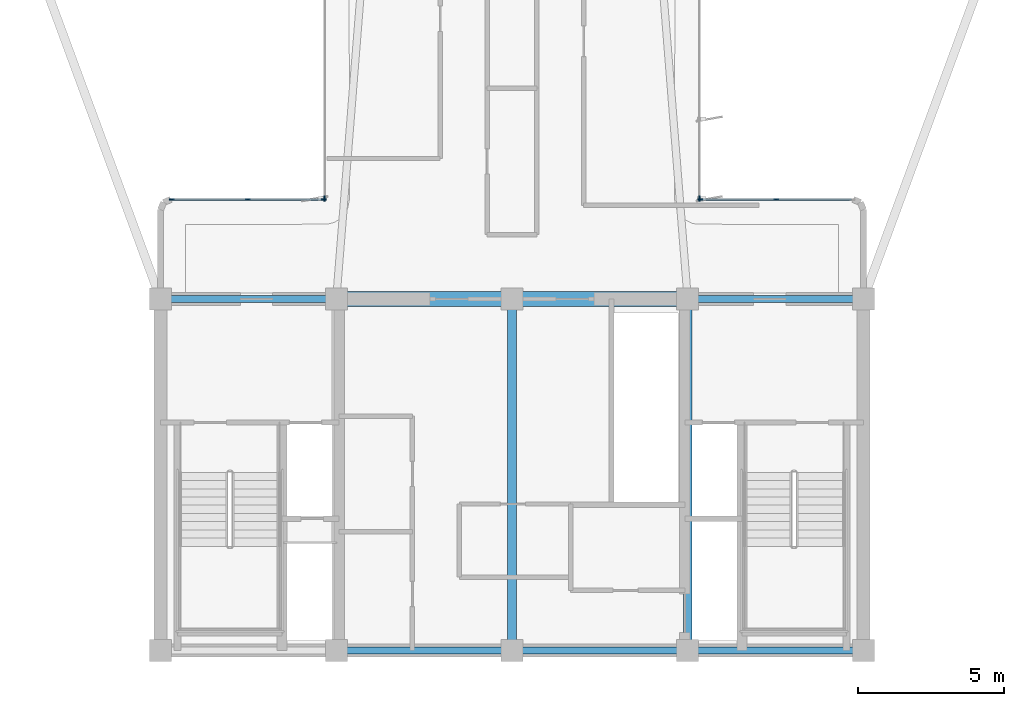
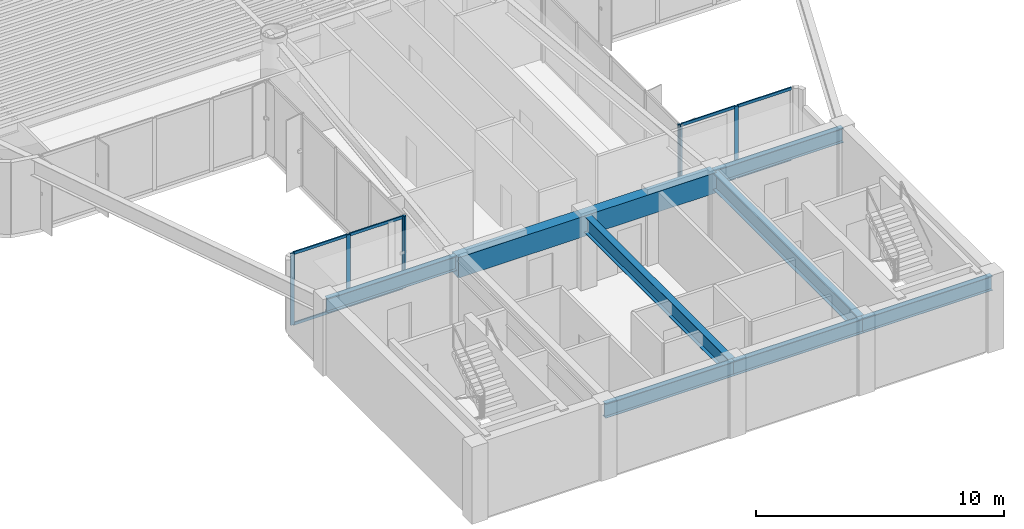
# One storey, part 2 of 14: 15 members, 8 beams, 4 elements without a shape of their own.
"""IFC4 building model written with IfcOpenShell, lengths in metres."""

from ifc_helpers import new_model, si_unit, direction, frame, origin, origin_2d, place, context, subcontext, project, spatial, rectangle, i_section, extrude, source, transform, mapped, material, layer, layer_set, material_profile, profile_set, type_object, element, aggregate, save


model = new_model("IFC4")

# Units and contexts
model_context = context("Model", 3, precision=1e-05, world=origin(), true_north=direction((0.0, 1.0)))
body_context = subcontext(model_context, "Body", "Model", "MODEL_VIEW")
ifc_project = project(units=[si_unit("LENGTHUNIT", "METRE"), si_unit("AREAUNIT", "SQUARE_METRE"), si_unit("VOLUMEUNIT", "CUBIC_METRE"), si_unit("PLANEANGLEUNIT", "RADIAN"), si_unit("MASSUNIT", "GRAM", prefix="KILO")], contexts=[model_context])

# Site, building, storey
site_placement = place(None, origin())
site = spatial("IfcSite", under=ifc_project, at=site_placement, CompositionType="ELEMENT")
building_placement = place(site_placement, origin())
building = spatial("IfcBuilding", under=site, at=building_placement, Name="Brelvock Crest Care Tower", CompositionType="ELEMENT")
storey_placement = place(building_placement, frame((0.0, 0.0, 205.56005859375)))
storey = spatial("IfcBuildingStorey", under=building, at=storey_placement, Name="L52", CompositionType="ELEMENT", Elevation=205.56005859375)

# Beams
ifc_material_1 = material(Name="Steel Grade 350", Category="steel")
ifc_material_profile_1 = material_profile(ifc_material_1, i_section(OverallWidth=0.25, OverallDepth=0.699951171875, WebThickness=0.011962890625, FlangeThickness=0.02001953125, at=origin_2d()), Name="700WB150")
ifc_profile_set_1 = profile_set([ifc_material_profile_1], Name="Steel Grade 350")
beam_type_1 = type_object("IfcBeamType", Name="BM-G4", PredefinedType="BEAM", material=ifc_profile_set_1)
shared_shape_1 = source(origin(), body_context, "Body", "SweptSolid", [
    extrude(i_section(OverallWidth=0.25, OverallDepth=0.699951171875, WebThickness=0.011962890625, FlangeThickness=0.02001953125, at=origin_2d()), origin(), (0.0, 0.0, 1.0), 6.0),
])
for number, where, z_axis, x_axis, name in (
    (1, (24.0, 18.0, 3.179931640625), (1.0, 0.0, 0.0), (0.0, 1.0, 0.0), "BM-COREN-L52-1"),
    (2, (30.0, 6.0, 3.179931640625), (1.0, 0.0, 0.0), (0.0, 1.0, 0.0), "BM-CORES-L52-2"),
    (3, (36.0, 6.0, 3.179931640625), (1.0, 0.0, 0.0), (0.0, 1.0, 0.0), "BM-CORES-L52-3"),
    (4, (42.0, 6.0, 3.179931640625), (1.0, 0.0, 0.0), (0.0, 1.0, 0.0), "BM-CORES-L52-4"),
    (5, (42.0, 18.0, 3.179931640625), (1.0, 0.0, 0.0), (0.0, 1.0, 0.0), "BM-COREN-L52-4"),
):
    element("IfcBeam", number, at=place(storey_placement, frame(where, z_axis=z_axis, x_axis=x_axis)), inside=storey, type_object=beam_type_1, Name=name, PredefinedType="BEAM", context=body_context, shape_type="MappedRepresentation", body=[
        mapped(shared_shape_1, transform((0.0, 0.0, 0.0), x_axis=(1.0, 0.0, 0.0), y_axis=(0.0, 1.0, 0.0), z_axis=(0.0, 0.0, 1.0), scale=1.0)),
    ])
ifc_material_profile_2 = material_profile(ifc_material_1, i_section(OverallWidth=0.300048828125, OverallDepth=0.800048828125, WebThickness=0.013916015625, FlangeThickness=0.02197265625, at=origin_2d()), Name="800WB192")
ifc_profile_set_2 = profile_set([ifc_material_profile_2], Name="Steel Grade 350")
beam_type_2 = type_object("IfcBeamType", Name="BM-G5", PredefinedType="BEAM", material=ifc_profile_set_2)
shared_shape_2 = source(origin(), body_context, "Body", "SweptSolid", [
    extrude(i_section(OverallWidth=0.300048828125, OverallDepth=0.800048828125, WebThickness=0.013916015625, FlangeThickness=0.02197265625, at=origin_2d()), origin(), (0.0, 0.0, 1.0), 12.0),
])
for number, where, z_axis, x_axis, name in (
    (6, (36.0, 6.0, 3.1298828125), (0.0, 1.0, 0.0), (-1.0, 0.0, 0.0), "BM-COREX-L52-3"),
    (7, (42.0, 6.0, 3.1298828125), (0.0, 1.0, 0.0), (-1.0, 0.0, 0.0), "BM-COREX-L52-4"),
):
    element("IfcBeam", number, at=place(storey_placement, frame(where, z_axis=z_axis, x_axis=x_axis)), inside=storey, type_object=beam_type_2, Name=name, PredefinedType="BEAM", context=body_context, shape_type="MappedRepresentation", body=[
        mapped(shared_shape_2, transform((0.0, 0.0, 0.0), x_axis=(1.0, 0.0, 0.0), y_axis=(0.0, 1.0, 0.0), z_axis=(0.0, 0.0, 1.0), scale=1.0)),
    ])
ifc_material_2 = material(Name="Concrete S65 (65 MPa)", Category="concrete")
ifc_material_profile_3 = material_profile(ifc_material_2, rectangle(XDim=0.5, YDim=1.0, at=origin_2d()), Name="RC500x1000")
ifc_profile_set_3 = profile_set([ifc_material_profile_3], Name="Concrete S65 (65 MPa)")
beam_type_3 = type_object("IfcBeamType", Name="BM-LN2", PredefinedType="LINTEL", material=ifc_profile_set_3)
shared_shape_3 = source(origin(), body_context, "Body", "SweptSolid", [
    extrude(rectangle(XDim=0.5, YDim=1.0, at=origin_2d()), origin(), (0.0, 0.0, 1.0), 12.0),
])
beam_placement = place(storey_placement, frame((30.0, 18.0, 3.030029296875), z_axis=(1.0, 0.0, 0.0), x_axis=(0.0, 1.0, 0.0)))
element("IfcBeam", 8, at=beam_placement, inside=storey, type_object=beam_type_3, Name="L52 Core Coupling Lintel Beam", PredefinedType="LINTEL", context=body_context, shape_type="MappedRepresentation", body=[
    mapped(shared_shape_3, transform((0.0, 0.0, 0.0), x_axis=(1.0, 0.0, 0.0), y_axis=(0.0, 1.0, 0.0), z_axis=(0.0, 0.0, 1.0), scale=1.0)),
])

# Curtain wall, members
ifc_material_3 = material(Name="Dark Glass Double Glazed Low-E", Category="glass")
ifc_layer = layer(ifc_material_3, 0.22509765625, Name="CWS-4")
ifc_layer_set = layer_set([ifc_layer], Name="Dark Glass Double Glazed Low-E")
curtain_wall_type = type_object("IfcCurtainWallType", Name="CWS-4", PredefinedType="NOTDEFINED", material=ifc_layer_set)
curtain_wall_1_placement = place(storey_placement, origin())
curtain_wall_1 = element("IfcCurtainWall", 9, at=curtain_wall_1_placement, inside=storey, type_object=curtain_wall_type, Name="L52 Curtain Wall E10", PredefinedType="NOTDEFINED")
ifc_material_4 = material(Name="Aluminium 6063-T6", Category="aluminium")
ifc_material_profile_4 = material_profile(ifc_material_4, rectangle(XDim=0.06005859375, YDim=0.179931640625, at=origin_2d()), Name="ALU60x180")
ifc_profile_set_4 = profile_set([ifc_material_profile_4], Name="Aluminium 6063-T6")
member_type_1 = type_object("IfcMemberType", Name="CWM-2", PredefinedType="MULLION", material=ifc_profile_set_4)
shared_shape_4 = source(origin(), body_context, "Body", "SweptSolid", [
    extrude(rectangle(XDim=0.06005859375, YDim=0.179931640625, at=origin_2d()), origin(), (0.0, 0.0, 1.0), 3.530029296875),
])
member_1_placement = place(storey_placement, frame((24.3798828125, 21.39990234375, 0.0), z_axis=(0.0, 0.0, 1.0), x_axis=(0.0, 1.0, 0.0)))
member_1 = element("IfcMember", 10, at=member_1_placement, type_object=member_type_1, Name="CW-4 mullion 1", PredefinedType="MULLION", context=body_context, shape_type="MappedRepresentation", body=[
    mapped(shared_shape_4, transform((0.0, 0.0, 0.0), x_axis=(1.0, 0.0, 0.0), y_axis=(0.0, 1.0, 0.0), z_axis=(0.0, 0.0, 1.0), scale=1.0)),
])
member_2_placement = place(storey_placement, frame((26.97509765625, 21.39990234375, 0.0), z_axis=(0.0, 0.0, 1.0), x_axis=(0.0, 1.0, 0.0)))
member_2 = element("IfcMember", 11, at=member_2_placement, type_object=member_type_1, Name="CW-4 mullion 2", PredefinedType="MULLION", context=body_context, shape_type="MappedRepresentation", body=[
    mapped(shared_shape_4, transform((0.0, 0.0, 0.0), x_axis=(1.0, 0.0, 0.0), y_axis=(0.0, 1.0, 0.0), z_axis=(0.0, 0.0, 1.0), scale=1.0)),
])
member_3_placement = place(storey_placement, frame((29.570068359375, 21.39990234375, 0.0), z_axis=(0.0, 0.0, 1.0), x_axis=(0.0, 1.0, 0.0)))
member_3 = element("IfcMember", 12, at=member_3_placement, type_object=member_type_1, Name="CW-4 mullion 3", PredefinedType="MULLION", context=body_context, shape_type="MappedRepresentation", body=[
    mapped(shared_shape_4, transform((0.0, 0.0, 0.0), x_axis=(1.0, 0.0, 0.0), y_axis=(0.0, 1.0, 0.0), z_axis=(0.0, 0.0, 1.0), scale=1.0)),
])

# Curtain wall, member
curtain_wall_2_placement = place(storey_placement, origin())
curtain_wall_2 = element("IfcCurtainWall", 13, at=curtain_wall_2_placement, inside=storey, type_object=curtain_wall_type, Name="L52 Curtain Wall E11", PredefinedType="NOTDEFINED")
member_4_placement = place(storey_placement, frame((29.60009765625, 21.429931640625, 0.0), z_axis=(0.0, 0.0, 1.0), x_axis=(-1.0, 0.0, 0.0)))
member_4 = element("IfcMember", 14, at=member_4_placement, type_object=member_type_1, Name="CW-4 mullion 1", PredefinedType="MULLION", context=body_context, shape_type="MappedRepresentation", body=[
    mapped(shared_shape_4, transform((0.0, 0.0, 0.0), x_axis=(1.0, 0.0, 0.0), y_axis=(0.0, 1.0, 0.0), z_axis=(0.0, 0.0, 1.0), scale=1.0)),
])
aggregate(curtain_wall_2, [member_4])

curtain_wall_3_placement = place(storey_placement, origin())
curtain_wall_3 = element("IfcCurtainWall", 15, at=curtain_wall_3_placement, inside=storey, type_object=curtain_wall_type, Name="L52 Curtain Wall E45", PredefinedType="NOTDEFINED")
member_5_placement = place(storey_placement, frame((42.39990234375, 21.429931640625, 0.0), z_axis=(0.0, 0.0, 1.0), x_axis=(1.0, 0.0, 0.0)))
member_5 = element("IfcMember", 16, at=member_5_placement, type_object=member_type_1, Name="CW-4 mullion 5", PredefinedType="MULLION", context=body_context, shape_type="MappedRepresentation", body=[
    mapped(shared_shape_4, transform((0.0, 0.0, 0.0), x_axis=(1.0, 0.0, 0.0), y_axis=(0.0, 1.0, 0.0), z_axis=(0.0, 0.0, 1.0), scale=1.0)),
])
aggregate(curtain_wall_3, [member_5])

# Curtain wall, members
curtain_wall_4_placement = place(storey_placement, origin())
curtain_wall_4 = element("IfcCurtainWall", 17, at=curtain_wall_4_placement, inside=storey, type_object=curtain_wall_type, Name="L52 Curtain Wall E46", PredefinedType="NOTDEFINED")
member_6_placement = place(storey_placement, frame((42.429931640625, 21.39990234375, 0.0), z_axis=(0.0, 0.0, 1.0), x_axis=(0.0, 1.0, 0.0)))
member_6 = element("IfcMember", 18, at=member_6_placement, type_object=member_type_1, Name="CW-4 mullion 1", PredefinedType="MULLION", context=body_context, shape_type="MappedRepresentation", body=[
    mapped(shared_shape_4, transform((0.0, 0.0, 0.0), x_axis=(1.0, 0.0, 0.0), y_axis=(0.0, 1.0, 0.0), z_axis=(0.0, 0.0, 1.0), scale=1.0)),
])
member_7_placement = place(storey_placement, frame((45.02490234375, 21.39990234375, 0.0), z_axis=(0.0, 0.0, 1.0), x_axis=(0.0, 1.0, 0.0)))
member_7 = element("IfcMember", 19, at=member_7_placement, type_object=member_type_1, Name="CW-4 mullion 2", PredefinedType="MULLION", context=body_context, shape_type="MappedRepresentation", body=[
    mapped(shared_shape_4, transform((0.0, 0.0, 0.0), x_axis=(1.0, 0.0, 0.0), y_axis=(0.0, 1.0, 0.0), z_axis=(0.0, 0.0, 1.0), scale=1.0)),
])

# Member
ifc_material_profile_5 = material_profile(ifc_material_4, rectangle(XDim=0.06005859375, YDim=0.139892578125, at=origin_2d()), Name="ALU60x140")
ifc_profile_set_5 = profile_set([ifc_material_profile_5], Name="Aluminium 6063-T6")
member_type_2 = type_object("IfcMemberType", Name="CWT-2", PredefinedType="USERDEFINED", material=ifc_profile_set_5)
shared_shape_5 = source(origin(), body_context, "Body", "SweptSolid", [
    extrude(rectangle(XDim=0.06005859375, YDim=0.139892578125, at=origin_2d()), origin(), (0.0, 0.0, 1.0), 2.53515625),
])
member_8_placement = place(storey_placement, frame((24.409912109375, 21.39990234375, 0.030029296875), z_axis=(1.0, 0.0, 0.0), x_axis=(0.0, 1.0, 0.0)))
member_8 = element("IfcMember", 20, at=member_8_placement, type_object=member_type_2, Name="CW-4 transom 1.1", ObjectType="TRANSOM", PredefinedType="USERDEFINED", context=body_context, shape_type="MappedRepresentation", body=[
    mapped(shared_shape_5, transform((0.0, 0.0, 0.0), x_axis=(1.0, 0.0, 0.0), y_axis=(0.0, 1.0, 0.0), z_axis=(0.0, 0.0, 1.0), scale=1.0)),
])

member_9_placement = place(storey_placement, frame((24.409912109375, 21.39990234375, 3.5), z_axis=(1.0, 0.0, 0.0), x_axis=(0.0, 1.0, 0.0)))
member_9 = element("IfcMember", 21, at=member_9_placement, type_object=member_type_2, Name="CW-4 transom 1.2", ObjectType="TRANSOM", PredefinedType="USERDEFINED", context=body_context, shape_type="MappedRepresentation", body=[
    mapped(shared_shape_5, transform((0.0, 0.0, 0.0), x_axis=(1.0, 0.0, 0.0), y_axis=(0.0, 1.0, 0.0), z_axis=(0.0, 0.0, 1.0), scale=1.0)),
])

member_10_placement = place(storey_placement, frame((27.0048828125, 21.39990234375, 0.030029296875), z_axis=(1.0, 0.0, 0.0), x_axis=(0.0, 1.0, 0.0)))
member_10 = element("IfcMember", 22, at=member_10_placement, type_object=member_type_2, Name="CW-4 transom 2.1", ObjectType="TRANSOM", PredefinedType="USERDEFINED", context=body_context, shape_type="MappedRepresentation", body=[
    mapped(shared_shape_5, transform((0.0, 0.0, 0.0), x_axis=(1.0, 0.0, 0.0), y_axis=(0.0, 1.0, 0.0), z_axis=(0.0, 0.0, 1.0), scale=1.0)),
])

member_11_placement = place(storey_placement, frame((27.0048828125, 21.39990234375, 3.5), z_axis=(1.0, 0.0, 0.0), x_axis=(0.0, 1.0, 0.0)))
member_11 = element("IfcMember", 23, at=member_11_placement, type_object=member_type_2, Name="CW-4 transom 2.2", ObjectType="TRANSOM", PredefinedType="USERDEFINED", context=body_context, shape_type="MappedRepresentation", body=[
    mapped(shared_shape_5, transform((0.0, 0.0, 0.0), x_axis=(1.0, 0.0, 0.0), y_axis=(0.0, 1.0, 0.0), z_axis=(0.0, 0.0, 1.0), scale=1.0)),
])

aggregate(curtain_wall_1, [member_1, member_2, member_3, member_8, member_9, member_10, member_11])

member_12_placement = place(storey_placement, frame((42.4599609375, 21.39990234375, 0.030029296875), z_axis=(1.0, 0.0, 0.0), x_axis=(0.0, 1.0, 0.0)))
member_12 = element("IfcMember", 24, at=member_12_placement, type_object=member_type_2, Name="CW-4 transom 1.1", ObjectType="TRANSOM", PredefinedType="USERDEFINED", context=body_context, shape_type="MappedRepresentation", body=[
    mapped(shared_shape_5, transform((0.0, 0.0, 0.0), x_axis=(1.0, 0.0, 0.0), y_axis=(0.0, 1.0, 0.0), z_axis=(0.0, 0.0, 1.0), scale=1.0)),
])

member_13_placement = place(storey_placement, frame((42.4599609375, 21.39990234375, 3.5), z_axis=(1.0, 0.0, 0.0), x_axis=(0.0, 1.0, 0.0)))
member_13 = element("IfcMember", 25, at=member_13_placement, type_object=member_type_2, Name="CW-4 transom 1.2", ObjectType="TRANSOM", PredefinedType="USERDEFINED", context=body_context, shape_type="MappedRepresentation", body=[
    mapped(shared_shape_5, transform((0.0, 0.0, 0.0), x_axis=(1.0, 0.0, 0.0), y_axis=(0.0, 1.0, 0.0), z_axis=(0.0, 0.0, 1.0), scale=1.0)),
])

member_14_placement = place(storey_placement, frame((45.054931640625, 21.39990234375, 0.030029296875), z_axis=(1.0, 0.0, 0.0), x_axis=(0.0, 1.0, 0.0)))
member_14 = element("IfcMember", 26, at=member_14_placement, type_object=member_type_2, Name="CW-4 transom 2.1", ObjectType="TRANSOM", PredefinedType="USERDEFINED", context=body_context, shape_type="MappedRepresentation", body=[
    mapped(shared_shape_5, transform((0.0, 0.0, 0.0), x_axis=(1.0, 0.0, 0.0), y_axis=(0.0, 1.0, 0.0), z_axis=(0.0, 0.0, 1.0), scale=1.0)),
])

member_15_placement = place(storey_placement, frame((45.054931640625, 21.39990234375, 3.5), z_axis=(1.0, 0.0, 0.0), x_axis=(0.0, 1.0, 0.0)))
member_15 = element("IfcMember", 27, at=member_15_placement, type_object=member_type_2, Name="CW-4 transom 2.2", ObjectType="TRANSOM", PredefinedType="USERDEFINED", context=body_context, shape_type="MappedRepresentation", body=[
    mapped(shared_shape_5, transform((0.0, 0.0, 0.0), x_axis=(1.0, 0.0, 0.0), y_axis=(0.0, 1.0, 0.0), z_axis=(0.0, 0.0, 1.0), scale=1.0)),
])

aggregate(curtain_wall_4, [member_6, member_7, member_12, member_13, member_14, member_15])

save(model, "model.ifc")
